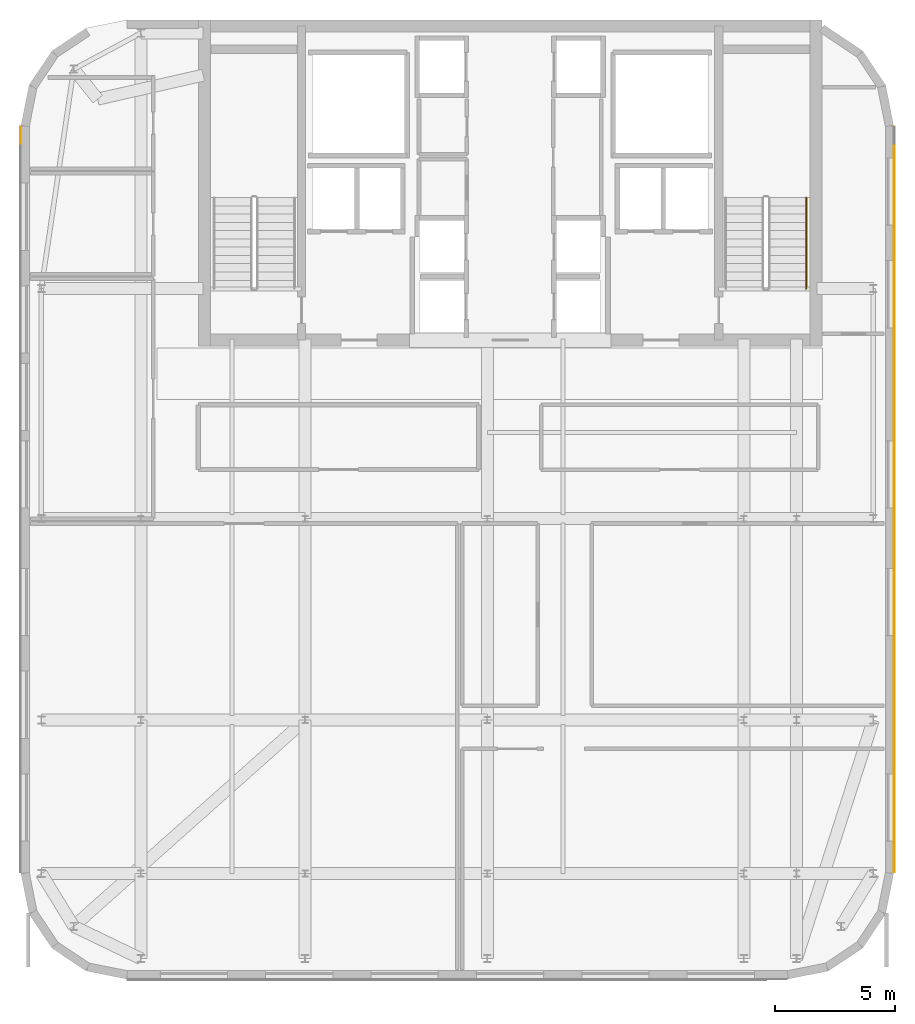
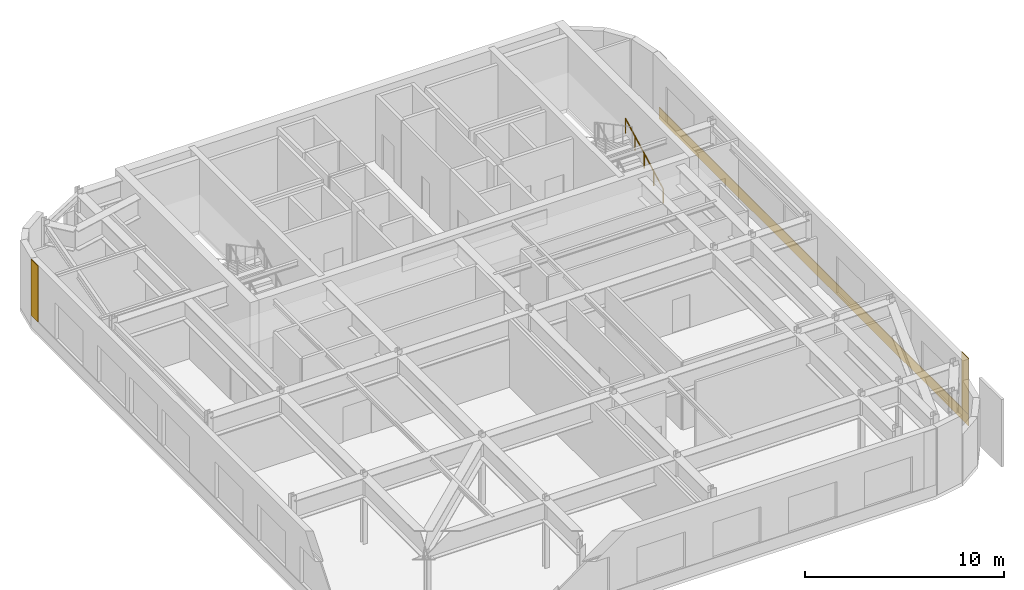
# One storey, part 12 of 13: 3 coverings, 1 railing.
"""IFC4 building model written with IfcOpenShell, lengths in metres."""

import ifcopenshell
import ifcopenshell.guid

model = None  # the IFC model being written
_history = None  # IfcOwnerHistory: only IFC2X3 demands one
_inside = {}  # id of a spatial element -> (the spatial element, [elements in it])
_under = {}  # id of a project, library or spatial element -> (it, [spatial elements below it])
_declared = {}  # id of a project -> (the project, [libraries it declares])
_typed = {}  # id of a type object -> (the type object, [elements of that type])
_made_of = {}  # id of a material, layer set ... -> (it, [elements and type objects made of it])


def new_model(schema):
    """Start an empty IFC model of exactly this schema.

    Asked for "IFC4X3", IfcOpenShell would pick the latest addendum, in which some entities
    have other attributes; the version numbers below select the first issue.
    IFC2X3 requires an IfcOwnerHistory on every rooted entity: one is made here for all.
    """
    global model, _history
    if schema == "IFC4X3":
        model = ifcopenshell.file(schema_version=(4, 3, 0, 0))
    else:
        model = ifcopenshell.file(schema=schema)
    _inside.clear()
    _under.clear()
    _declared.clear()
    _typed.clear()
    _made_of.clear()
    _history = None
    if model.schema == "IFC2X3":
        org = make("IfcOrganization", Name="unknown")
        user = make(
            "IfcPersonAndOrganization",
            ThePerson=make("IfcPerson", FamilyName="unknown"),
            TheOrganization=org,
        )
        app = make(
            "IfcApplication",
            ApplicationDeveloper=org,
            Version="unknown",
            ApplicationFullName="unknown",
            ApplicationIdentifier="unknown",
        )
        _history = make(
            "IfcOwnerHistory",
            OwningUser=user,
            OwningApplication=app,
            ChangeAction="ADDED",
            CreationDate=0,
        )
    return model


def make(cls, **values):
    """One entity of the class cls with the attributes given. An attribute that is None is left unset."""
    return model.create_entity(
        cls, **{name: value for name, value in values.items() if value is not None}
    )


def rooted(cls, **values):
    """An entity with a GlobalId (a new one), such as an element, a storey or a relation."""
    return make(cls, GlobalId=ifcopenshell.guid.new(), OwnerHistory=_history, **values)


def si_unit(unit_type, name, prefix=None):
    """IfcSIUnit, for example si_unit("LENGTHUNIT", "METRE", prefix="MILLI")."""
    return make("IfcSIUnit", UnitType=unit_type, Prefix=prefix, Name=name)


def assignment(units):
    """IfcUnitAssignment: the units of a project."""
    return None if units is None else make("IfcUnitAssignment", Units=units)


def point(xyz):
    """IfcCartesianPoint."""
    return None if xyz is None else make("IfcCartesianPoint", Coordinates=xyz)


def direction(xyz):
    """IfcDirection."""
    return None if xyz is None else make("IfcDirection", DirectionRatios=xyz)


def frame(location, z_axis=None, x_axis=None):
    """IfcAxis2Placement3D, a coordinate frame: its origin and axes. An axis left out is left unset."""
    return make(
        "IfcAxis2Placement3D",
        Location=point(location),
        Axis=direction(z_axis),
        RefDirection=direction(x_axis),
    )


def frame_2d(location, x_axis=None):
    """IfcAxis2Placement2D, a coordinate frame in the plane: its origin and x axis."""
    return make(
        "IfcAxis2Placement2D", Location=point(location), RefDirection=direction(x_axis)
    )


def origin():
    """The frame at (0, 0, 0) with its axes left unset."""
    return frame((0.0, 0.0, 0.0))


def origin_2d():
    """The frame at (0, 0) in the plane with its x axis left unset."""
    return frame_2d((0.0, 0.0))


def place(relative_to, where):
    """IfcLocalPlacement: puts the frame where relative to a parent placement (None: the world)."""
    return make(
        "IfcLocalPlacement", PlacementRelTo=relative_to, RelativePlacement=where
    )


def context(
    kind, dimensions, precision=None, world=None, true_north=None, identifier=None
):
    """IfcGeometricRepresentationContext, for example the 3D "Model" context."""
    return make(
        "IfcGeometricRepresentationContext",
        ContextIdentifier=identifier,
        ContextType=kind,
        CoordinateSpaceDimension=dimensions,
        Precision=precision,
        WorldCoordinateSystem=world,
        TrueNorth=true_north,
    )


def subcontext(parent, identifier, kind, view, scale=None):
    """IfcGeometricRepresentationSubContext, for example "Body" below "Model"."""
    return make(
        "IfcGeometricRepresentationSubContext",
        ContextIdentifier=identifier,
        ContextType=kind,
        ParentContext=parent,
        TargetScale=scale,
        TargetView=view,
    )


def project(units=None, contexts=None):
    """IfcProject with its units and contexts."""
    return rooted(
        "IfcProject",
        Name="project",
        RepresentationContexts=contexts,
        UnitsInContext=assignment(units),
    )


def spatial(cls, under=None, at=None, **own):
    """A site, building, storey or space (cls), placed at a placement, below another one or the project."""
    s = rooted(cls, ObjectPlacement=at, **own)
    if under is not None:
        _under.setdefault(under.id(), (under, []))[1].append(s)
    return s


def polyline(points):
    """IfcPolyline through the points."""
    return make("IfcPolyline", Points=[point(p) for p in points])


def profile(cls, at=None, kind="AREA", **sizes):
    """A parametric profile (cls). Its sizes go by their IFC names, for example OverallWidth=200.0."""
    return make(cls, ProfileType=kind, Position=at, **sizes)


def circle(**sizes):
    """IfcCircleProfileDef."""
    return profile("IfcCircleProfileDef", **sizes)


def outline(outer, holes=None, kind="AREA"):
    """IfcArbitraryClosedProfileDef: a profile drawn as a closed curve; with holes, ...WithVoids."""
    if holes is None:
        return make("IfcArbitraryClosedProfileDef", ProfileType=kind, OuterCurve=outer)
    return make(
        "IfcArbitraryProfileDefWithVoids",
        ProfileType=kind,
        OuterCurve=outer,
        InnerCurves=holes,
    )


def extrude(swept, where, along, depth):
    """IfcExtrudedAreaSolid: the profile swept, set in the frame where, extruded along a direction by depth."""
    return make(
        "IfcExtrudedAreaSolid",
        SweptArea=swept,
        Position=where,
        ExtrudedDirection=direction(along),
        Depth=depth,
    )


def shape(context_of_items, identifier, shape_type, items):
    """IfcShapeRepresentation: the items that make up one representation, for example the "Body"."""
    return make(
        "IfcShapeRepresentation",
        ContextOfItems=context_of_items,
        RepresentationIdentifier=identifier,
        RepresentationType=shape_type,
        Items=items,
    )


def material(Name=None, Category=None):
    """IfcMaterial."""
    return make("IfcMaterial", Name=Name, Category=Category)


def layer(
    of_material, thickness, ventilated=None, Name=None, Category=None, Priority=None
):
    """IfcMaterialLayer: one layer of a wall or slab, of a material (None: an air gap)."""
    return make(
        "IfcMaterialLayer",
        Material=of_material,
        LayerThickness=thickness,
        IsVentilated=ventilated,
        Name=Name,
        Category=Category,
        Priority=Priority,
    )


def layer_set(layers, Name=None):
    """IfcMaterialLayerSet."""
    return make("IfcMaterialLayerSet", MaterialLayers=layers, LayerSetName=Name)


def made_of(thing, what):
    """Note that an element or type object is made of a material, layer set ...; save() writes the relation."""
    if what is not None:
        _made_of.setdefault(what.id(), (what, []))[1].append(thing)
    return thing


def type_object(cls, material=None, **own):
    """A type object (cls), such as IfcWallType, which elements share."""
    return made_of(rooted(cls, **own), material)


def element(
    cls,
    number,
    at=None,
    inside=None,
    cuts=None,
    type_object=None,
    material=None,
    context=None,
    identifier="Body",
    shape_type=None,
    held_by="IfcProductDefinitionShape",
    body=None,
    shapes=None,
    **own,
):
    """One element of the class cls, such as IfcWall. Its Tag is "e" and its number.

    at: its placement. inside: the storey or other place that contains it. cuts: it is an
    opening in that element (IfcRelVoidsElement). A single representation is given by context,
    identifier, shape_type and body (its items); several are given by shapes. held_by: the class
    of the entity that holds the representations. save() writes the other relations.
    """
    e = rooted(cls, Tag="e%d" % number, ObjectPlacement=at, **own)
    if body is not None:
        shapes = [shape(context, identifier, shape_type, body)]
    if shapes is not None:
        e.Representation = make(held_by, Representations=shapes)
    if inside is not None:
        _inside.setdefault(inside.id(), (inside, []))[1].append(e)
    if cuts is not None:
        rooted(
            "IfcRelVoidsElement", RelatingBuildingElement=cuts, RelatedOpeningElement=e
        )
    if type_object is not None:
        _typed.setdefault(type_object.id(), (type_object, []))[1].append(e)
    return made_of(e, material)


def aggregate(whole, parts):
    """IfcRelAggregates: a whole, such as a stair, and the parts it consists of."""
    return rooted("IfcRelAggregates", RelatingObject=whole, RelatedObjects=parts)


def save(model, path):
    """Write the relations noted so far, then the file.

    IfcRelAggregates (storeys below a building ...), IfcRelContainedInSpatialStructure (elements
    in a storey), IfcRelDefinesByType, IfcRelAssociatesMaterial and IfcRelDeclares: one each for
    every whole, place, type object, material and project.
    """
    for whole, parts in _under.values():
        aggregate(whole, parts)
    for where, things in _inside.values():
        rooted(
            "IfcRelContainedInSpatialStructure",
            RelatedElements=things,
            RelatingStructure=where,
        )
    for kind, things in _typed.values():
        rooted("IfcRelDefinesByType", RelatedObjects=things, RelatingType=kind)
    for what, things in _made_of.values():
        rooted("IfcRelAssociatesMaterial", RelatedObjects=things, RelatingMaterial=what)
    for by, libraries in _declared.values():
        rooted("IfcRelDeclares", RelatingContext=by, RelatedDefinitions=libraries)
    model.write(path)


model = new_model("IFC4")

# Units and contexts
model_context = context("Model", 3, precision=1e-05, world=origin(), true_north=direction((0.0, 1.0)))
body_context = subcontext(model_context, "Body", "Model", "MODEL_VIEW")
ifc_project = project(units=[si_unit("LENGTHUNIT", "METRE"), si_unit("AREAUNIT", "SQUARE_METRE"), si_unit("VOLUMEUNIT", "CUBIC_METRE"), si_unit("PLANEANGLEUNIT", "RADIAN"), si_unit("MASSUNIT", "GRAM", prefix="KILO")], contexts=[model_context])

# Site, building, storey
site_placement = place(None, origin())
site = spatial("IfcSite", under=ifc_project, at=site_placement, CompositionType="ELEMENT")
building_placement = place(site_placement, origin())
building = spatial("IfcBuilding", under=site, at=building_placement, Name="Tolvann Quenvar Hotel", CompositionType="ELEMENT")
storey_placement = place(building_placement, frame((0.0, 0.0, 286.550048828125)))
storey = spatial("IfcBuildingStorey", under=building, at=storey_placement, Name="L76", CompositionType="ELEMENT", Elevation=286.550048828125)

# Coverings
ifc_material_1 = material(Name="Kiln-fired red architectural face brick cladding", Category="masonry")
ifc_layer_1 = layer(ifc_material_1, 0.0400390625)
ifc_layer_set_1 = layer_set([ifc_layer_1], Name="Kiln-fired red architectural face brick cladding")
covering_type_1 = type_object("IfcCoveringType", Name="COV_CLAD_BRICK_40", PredefinedType="CLADDING", material=ifc_layer_set_1)
covering_1_placement = place(storey_placement, frame((0.0, 0.0, 0.699951171875)))
element("IfcCovering", 1, at=covering_1_placement, inside=storey, type_object=covering_type_1, Name="Brick Pier Cladding (L76-E09-P1)", PredefinedType="CLADDING", context=body_context, shape_type="SweptSolid", body=[
    extrude(outline(polyline([(39.0, 9.667236328125), (39.0, 10.3671875), (39.0400390625, 10.3671875), (39.0400390625, 9.667236328125), (39.0, 9.667236328125)])), origin(), (0.0, 0.0, 1.0), 3.43994140625),
])
covering_2_placement = place(storey_placement, frame((0.0, 0.0, 0.699951171875)))
element("IfcCovering", 2, at=covering_2_placement, inside=storey, type_object=covering_type_1, Name="Brick Pier Cladding (L76-E19-P1)", PredefinedType="CLADDING", context=body_context, shape_type="SweptSolid", body=[
    extrude(outline(polyline([(2.60009765625, 40.73291015625), (2.60009765625, 40.03271484375), (2.56005859375, 40.03271484375), (2.56005859375, 40.73291015625), (2.60009765625, 40.73291015625)])), origin(), (0.0, 0.0, 1.0), 3.43994140625),
])
ifc_material_2 = material(Name="Moulded buff architectural terracotta spandrel cladding", Category="masonry")
ifc_layer_2 = layer(ifc_material_2, 0.0400390625)
ifc_layer_set_2 = layer_set([ifc_layer_2], Name="Moulded buff architectural terracotta spandrel cladding")
covering_type_2 = type_object("IfcCoveringType", Name="COV_CLAD_TERRA_40", PredefinedType="CLADDING", material=ifc_layer_set_2)
covering_3_placement = place(storey_placement, origin())
element("IfcCovering", 3, at=covering_3_placement, inside=storey, type_object=covering_type_2, Name="Terracotta Spandrel Cladding (L76-E09)", PredefinedType="CLADDING", context=body_context, shape_type="SweptSolid", body=[
    extrude(outline(polyline([(39.0, 9.6572265625), (39.0, 40.742919921875), (39.0400390625, 40.742919921875), (39.0400390625, 9.6572265625), (39.0, 9.6572265625)])), origin(), (0.0, 0.0, 1.0), 0.699951171875),
])

# Railing
ifc_material_3 = material(Name="Brushed 316 stainless steel balustrade and handrail", Category="steel")
railing_type = type_object("IfcRailingType", Name="HANDRAIL", PredefinedType="HANDRAIL", material=ifc_material_3)
railing_placement = place(storey_placement, frame((35.35009765625, 34.0, 0.183349609375)))
element("IfcRailing", 4, at=railing_placement, inside=storey, type_object=railing_type, Name="L76 ST-C2 stair handrail 1", PredefinedType="HANDRAIL", context=body_context, shape_type="SweptSolid", body=[
    extrude(circle(Radius=0.02392578125, at=origin_2d()), frame((0.0, 0.0, 0.8759765625), z_axis=(0.0, 0.883062754136, 0.469254911809), x_axis=(-1.0, 0.0, 0.0)), (0.0, 0.0, 1.0), 4.29736328125),
    extrude(circle(Radius=0.02099609375, at=origin_2d()), origin(), (0.0, 0.0, 1.0), 0.851806640625),
    extrude(circle(Radius=0.02099609375, at=origin_2d()), frame((0.0, 0.94873046875, 0.504150390625)), (0.0, 0.0, 1.0), 0.851806640625),
    extrude(circle(Radius=0.02099609375, at=origin_2d()), frame((0.0, 1.8974609375, 1.00830078125)), (0.0, 0.0, 1.0), 0.851806640625),
    extrude(circle(Radius=0.02099609375, at=origin_2d()), frame((0.0, 2.84619140625, 1.512451171875)), (0.0, 0.0, 1.0), 0.851806640625),
    extrude(circle(Radius=0.02099609375, at=origin_2d()), frame((0.0, 3.794921875, 2.0166015625)), (0.0, 0.0, 1.0), 0.851806640625),
])

save(model, "model.ifc")
